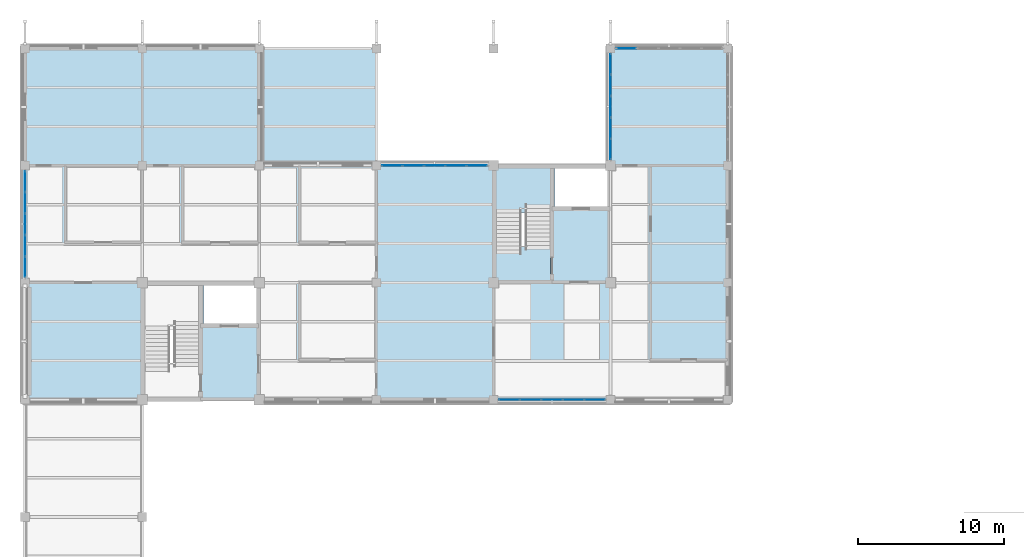
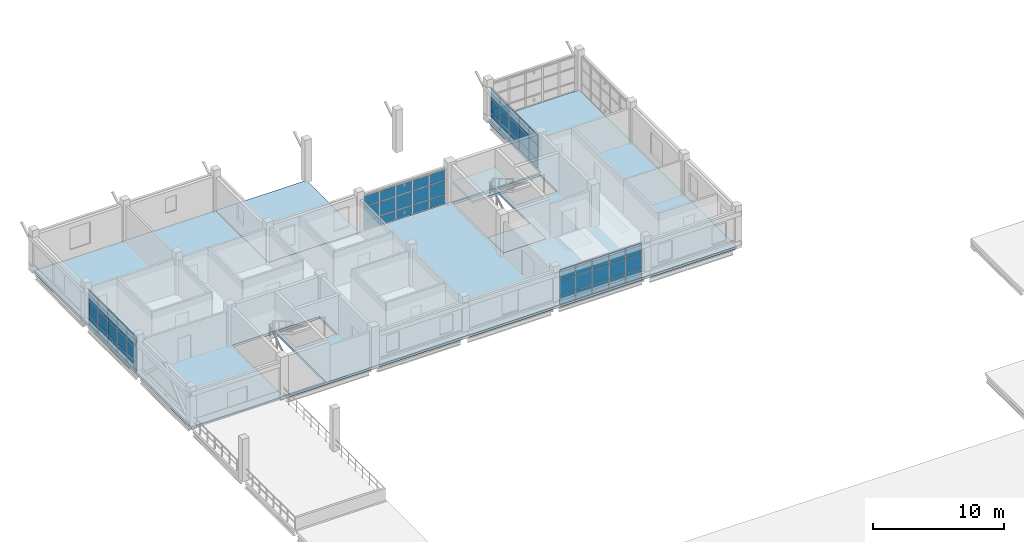
# One storey, part 15 of 35: 61 plates, 4 slabs, 6 elements without a shape of their own.
"""IFC4 building model written with IfcOpenShell, lengths in metres."""

from ifc_helpers import new_model, si_unit, derived_unit, direction, frame, origin, origin_2d, place, context, subcontext, project, spatial, polyline, rectangle, outline, extrude, material, layer, layer_set, type_object, element, aggregate, save


model = new_model("IFC4")

# Units and contexts
model_context = context("Model", 3, precision=1e-05, world=origin(), true_north=direction((0.0, 1.0)))
body_context = subcontext(model_context, "Body", "Model", "MODEL_VIEW")
ifc_project = project(units=[si_unit("LENGTHUNIT", "METRE"), si_unit("AREAUNIT", "SQUARE_METRE"), si_unit("VOLUMEUNIT", "CUBIC_METRE"), si_unit("PLANEANGLEUNIT", "RADIAN"), si_unit("MASSUNIT", "GRAM", prefix="KILO"), derived_unit("THERMALTRANSMITTANCEUNIT", [(si_unit("MASSUNIT", "GRAM", prefix="KILO"), 1), (si_unit("TIMEUNIT", "SECOND"), -3), (si_unit("THERMODYNAMICTEMPERATUREUNIT", "KELVIN"), -1)])], contexts=[model_context])

# Site, building, storey
site_placement = place(None, origin())
site = spatial("IfcSite", under=ifc_project, at=site_placement, CompositionType="ELEMENT")
building_placement = place(site_placement, origin())
building = spatial("IfcBuilding", under=site, at=building_placement, Name="Veyamyaing Civic Hall", CompositionType="ELEMENT")
storey_placement = place(building_placement, frame((0.0, 0.0, 21.780029296875)))
storey = spatial("IfcBuildingStorey", under=building, at=storey_placement, Name="L05", CompositionType="ELEMENT", Elevation=21.780029296875)

# Curtain wall, plates
ifc_material_1 = material(Name="Anodised aluminium 6063-T6", Category="aluminium")
ifc_layer_1 = layer(ifc_material_1, 0.159912109375, Name="Anodised aluminium 6063-T6")
ifc_layer_set_1 = layer_set([ifc_layer_1], Name="Anodised aluminium 6063-T6")
curtain_wall_type = type_object("IfcCurtainWallType", Name="CW-09", PredefinedType="NOTDEFINED", material=ifc_layer_set_1)
curtain_wall_1_placement = place(storey_placement, origin())
curtain_wall_1 = element("IfcCurtainWall", 1, at=curtain_wall_1_placement, inside=storey, type_object=curtain_wall_type, Name="Unitized curtain wall CW-09 L05 W 1.13", PredefinedType="NOTDEFINED")
ifc_material_2 = material(Name="Low-E insulated glass", Category="glass")
ifc_layer_2 = layer(ifc_material_2, 0.028076171875, Name="Low-E insulated glass")
ifc_layer_set_2 = layer_set([ifc_layer_2], Name="Low-E insulated glass")
plate_type_1 = type_object("IfcPlateType", Name="CWP-01", PredefinedType="CURTAIN_PANEL", material=ifc_layer_set_2)
plate_1_placement = place(storey_placement, frame((0.0, 97.080322265625, 0.06494140625), z_axis=(0.0, 0.0, 1.0), x_axis=(0.0, 1.0, 0.0)))
plate_1 = element("IfcPlate", 2, at=plate_1_placement, type_object=plate_type_1, Name="CW-09 panel 1.1", PredefinedType="CURTAIN_PANEL", context=body_context, shape_type="SweptSolid", body=[
    extrude(rectangle(XDim=1.37060546875, YDim=0.028076171875, at=origin_2d()), origin(), (0.0, 0.0, 1.0), 0.802490234375),
])
plate_2_placement = place(storey_placement, frame((0.0, 97.080322265625, 0.9326171875), z_axis=(0.0, 0.0, 1.0), x_axis=(0.0, 1.0, 0.0)))
plate_2 = element("IfcPlate", 3, at=plate_2_placement, type_object=plate_type_1, Name="CW-09 panel 1.2", PredefinedType="CURTAIN_PANEL", context=body_context, shape_type="SweptSolid", body=[
    extrude(rectangle(XDim=1.37060546875, YDim=0.028076171875, at=origin_2d()), origin(), (0.0, 0.0, 1.0), 1.325927734375),
])
plate_3_placement = place(storey_placement, frame((0.0, 97.080322265625, 2.3232421875), z_axis=(0.0, 0.0, 1.0), x_axis=(0.0, 1.0, 0.0)))
plate_3 = element("IfcPlate", 4, at=plate_3_placement, type_object=plate_type_1, Name="CW-09 panel 1.3", PredefinedType="CURTAIN_PANEL", context=body_context, shape_type="SweptSolid", body=[
    extrude(rectangle(XDim=1.37060546875, YDim=0.028076171875, at=origin_2d()), origin(), (0.0, 0.0, 1.0), 0.980712890625),
])
plate_4_placement = place(storey_placement, frame((0.0, 98.531982421875, 0.06494140625), z_axis=(0.0, 0.0, 1.0), x_axis=(0.0, 1.0, 0.0)))
plate_4 = element("IfcPlate", 5, at=plate_4_placement, type_object=plate_type_1, Name="CW-09 panel 2.1", PredefinedType="CURTAIN_PANEL", context=body_context, shape_type="SweptSolid", body=[
    extrude(rectangle(XDim=1.403076171875, YDim=0.028076171875, at=origin_2d()), origin(), (0.0, 0.0, 1.0), 0.802490234375),
])
plate_5_placement = place(storey_placement, frame((0.0, 98.531982421875, 0.9326171875), z_axis=(0.0, 0.0, 1.0), x_axis=(0.0, 1.0, 0.0)))
plate_5 = element("IfcPlate", 6, at=plate_5_placement, type_object=plate_type_1, Name="CW-09 panel 2.2", PredefinedType="CURTAIN_PANEL", context=body_context, shape_type="SweptSolid", body=[
    extrude(rectangle(XDim=1.403076171875, YDim=0.028076171875, at=origin_2d()), origin(), (0.0, 0.0, 1.0), 1.325927734375),
])
plate_6_placement = place(storey_placement, frame((0.0, 98.531982421875, 2.3232421875), z_axis=(0.0, 0.0, 1.0), x_axis=(0.0, 1.0, 0.0)))
plate_6 = element("IfcPlate", 7, at=plate_6_placement, type_object=plate_type_1, Name="CW-09 panel 2.3", PredefinedType="CURTAIN_PANEL", context=body_context, shape_type="SweptSolid", body=[
    extrude(rectangle(XDim=1.403076171875, YDim=0.028076171875, at=origin_2d()), origin(), (0.0, 0.0, 1.0), 0.980712890625),
])
plate_7_placement = place(storey_placement, frame((0.0, 100.0, 0.06494140625), z_axis=(0.0, 0.0, 1.0), x_axis=(0.0, 1.0, 0.0)))
plate_7 = element("IfcPlate", 8, at=plate_7_placement, type_object=plate_type_1, Name="CW-09 panel 3.1", PredefinedType="CURTAIN_PANEL", context=body_context, shape_type="SweptSolid", body=[
    extrude(rectangle(XDim=1.403076171875, YDim=0.028076171875, at=origin_2d()), origin(), (0.0, 0.0, 1.0), 0.802490234375),
])
plate_8_placement = place(storey_placement, frame((0.0, 100.0, 0.9326171875), z_axis=(0.0, 0.0, 1.0), x_axis=(0.0, 1.0, 0.0)))
plate_8 = element("IfcPlate", 9, at=plate_8_placement, type_object=plate_type_1, Name="CW-09 panel 3.2", PredefinedType="CURTAIN_PANEL", context=body_context, shape_type="SweptSolid", body=[
    extrude(rectangle(XDim=1.403076171875, YDim=0.028076171875, at=origin_2d()), origin(), (0.0, 0.0, 1.0), 1.325927734375),
])
plate_9_placement = place(storey_placement, frame((0.0, 100.0, 2.3232421875), z_axis=(0.0, 0.0, 1.0), x_axis=(0.0, 1.0, 0.0)))
plate_9 = element("IfcPlate", 10, at=plate_9_placement, type_object=plate_type_1, Name="CW-09 panel 3.3", PredefinedType="CURTAIN_PANEL", context=body_context, shape_type="SweptSolid", body=[
    extrude(rectangle(XDim=1.403076171875, YDim=0.028076171875, at=origin_2d()), origin(), (0.0, 0.0, 1.0), 0.980712890625),
])
plate_10_placement = place(storey_placement, frame((0.0, 101.468017578125, 0.06494140625), z_axis=(0.0, 0.0, 1.0), x_axis=(0.0, 1.0, 0.0)))
plate_10 = element("IfcPlate", 11, at=plate_10_placement, type_object=plate_type_1, Name="CW-09 panel 4.1", PredefinedType="CURTAIN_PANEL", context=body_context, shape_type="SweptSolid", body=[
    extrude(rectangle(XDim=1.403076171875, YDim=0.028076171875, at=origin_2d()), origin(), (0.0, 0.0, 1.0), 0.802490234375),
])
plate_11_placement = place(storey_placement, frame((0.0, 101.468017578125, 0.9326171875), z_axis=(0.0, 0.0, 1.0), x_axis=(0.0, 1.0, 0.0)))
plate_11 = element("IfcPlate", 12, at=plate_11_placement, type_object=plate_type_1, Name="CW-09 panel 4.2", PredefinedType="CURTAIN_PANEL", context=body_context, shape_type="SweptSolid", body=[
    extrude(rectangle(XDim=1.403076171875, YDim=0.028076171875, at=origin_2d()), origin(), (0.0, 0.0, 1.0), 1.325927734375),
])
plate_12_placement = place(storey_placement, frame((0.0, 101.468017578125, 2.3232421875), z_axis=(0.0, 0.0, 1.0), x_axis=(0.0, 1.0, 0.0)))
plate_12 = element("IfcPlate", 13, at=plate_12_placement, type_object=plate_type_1, Name="CW-09 panel 4.3", PredefinedType="CURTAIN_PANEL", context=body_context, shape_type="SweptSolid", body=[
    extrude(rectangle(XDim=1.403076171875, YDim=0.028076171875, at=origin_2d()), origin(), (0.0, 0.0, 1.0), 0.980712890625),
])
plate_13_placement = place(storey_placement, frame((0.0, 102.919677734375, 0.06494140625), z_axis=(0.0, 0.0, 1.0), x_axis=(0.0, 1.0, 0.0)))
plate_13 = element("IfcPlate", 14, at=plate_13_placement, type_object=plate_type_1, Name="CW-09 panel 5.1", PredefinedType="CURTAIN_PANEL", context=body_context, shape_type="SweptSolid", body=[
    extrude(rectangle(XDim=1.37060546875, YDim=0.028076171875, at=origin_2d()), origin(), (0.0, 0.0, 1.0), 0.802490234375),
])
plate_14_placement = place(storey_placement, frame((0.0, 102.919677734375, 0.9326171875), z_axis=(0.0, 0.0, 1.0), x_axis=(0.0, 1.0, 0.0)))
plate_14 = element("IfcPlate", 15, at=plate_14_placement, type_object=plate_type_1, Name="CW-09 panel 5.2", PredefinedType="CURTAIN_PANEL", context=body_context, shape_type="SweptSolid", body=[
    extrude(rectangle(XDim=1.37060546875, YDim=0.028076171875, at=origin_2d()), origin(), (0.0, 0.0, 1.0), 1.325927734375),
])
plate_15_placement = place(storey_placement, frame((0.0, 102.919677734375, 2.3232421875), z_axis=(0.0, 0.0, 1.0), x_axis=(0.0, 1.0, 0.0)))
plate_15 = element("IfcPlate", 16, at=plate_15_placement, type_object=plate_type_1, Name="CW-09 panel 5.3", PredefinedType="CURTAIN_PANEL", context=body_context, shape_type="SweptSolid", body=[
    extrude(rectangle(XDim=1.37060546875, YDim=0.028076171875, at=origin_2d()), origin(), (0.0, 0.0, 1.0), 0.980712890625),
])
aggregate(curtain_wall_1, [plate_1, plate_2, plate_3, plate_4, plate_5, plate_6, plate_7, plate_8, plate_9, plate_10, plate_11, plate_12, plate_13, plate_14, plate_15])

# Curtain wall, plate
curtain_wall_2_placement = place(storey_placement, origin())
curtain_wall_2 = element("IfcCurtainWall", 17, at=curtain_wall_2_placement, inside=storey, type_object=curtain_wall_type, Name="Unitized curtain wall CW-09 L05 N 6.14", PredefinedType="NOTDEFINED")
plate_16_placement = place(storey_placement, frame((41.080322265625, 112.0, 0.06494140625), z_axis=(0.0, 0.0, 1.0), x_axis=(1.0, 0.0, 0.0)))
plate_16 = element("IfcPlate", 18, at=plate_16_placement, type_object=plate_type_1, Name="CW-09 panel 1.1", PredefinedType="CURTAIN_PANEL", context=body_context, shape_type="SweptSolid", body=[
    extrude(rectangle(XDim=1.37060546875, YDim=0.028076171875, at=origin_2d()), origin(), (0.0, 0.0, 1.0), 0.802490234375),
])
aggregate(curtain_wall_2, [plate_16])

# Curtain wall, plates
curtain_wall_3_placement = place(storey_placement, origin())
curtain_wall_3 = element("IfcCurtainWall", 19, at=curtain_wall_3_placement, inside=storey, type_object=curtain_wall_type, Name="Unitized curtain wall CW-09 L05 W 6.14", PredefinedType="NOTDEFINED")
plate_17_placement = place(storey_placement, frame((40.0, 105.125244140625, 0.06494140625), z_axis=(0.0, 0.0, 1.0), x_axis=(0.0, 1.0, 0.0)))
plate_17 = element("IfcPlate", 20, at=plate_17_placement, type_object=plate_type_1, Name="CW-09 panel 1.1", PredefinedType="CURTAIN_PANEL", context=body_context, shape_type="SweptSolid", body=[
    extrude(rectangle(XDim=1.360595703125, YDim=0.028076171875, at=origin_2d()), origin(), (0.0, 0.0, 1.0), 0.802490234375),
])
plate_18_placement = place(storey_placement, frame((40.0, 105.125244140625, 0.9326171875), z_axis=(0.0, 0.0, 1.0), x_axis=(0.0, 1.0, 0.0)))
plate_18 = element("IfcPlate", 21, at=plate_18_placement, type_object=plate_type_1, Name="CW-09 panel 1.2", PredefinedType="CURTAIN_PANEL", context=body_context, shape_type="SweptSolid", body=[
    extrude(rectangle(XDim=1.360595703125, YDim=0.028076171875, at=origin_2d()), origin(), (0.0, 0.0, 1.0), 1.251220703125),
])
plate_19_placement = place(storey_placement, frame((40.0, 105.125244140625, 2.24853515625), z_axis=(0.0, 0.0, 1.0), x_axis=(0.0, 1.0, 0.0)))
plate_19 = element("IfcPlate", 22, at=plate_19_placement, type_object=plate_type_1, Name="CW-09 panel 1.3", PredefinedType="CURTAIN_PANEL", context=body_context, shape_type="SweptSolid", body=[
    extrude(rectangle(XDim=1.360595703125, YDim=0.028076171875, at=origin_2d()), origin(), (0.0, 0.0, 1.0), 0.9453125),
])
plate_20_placement = place(storey_placement, frame((40.0, 106.56689453125, 0.06494140625), z_axis=(0.0, 0.0, 1.0), x_axis=(0.0, 1.0, 0.0)))
plate_20 = element("IfcPlate", 23, at=plate_20_placement, type_object=plate_type_1, Name="CW-09 panel 2.1", PredefinedType="CURTAIN_PANEL", context=body_context, shape_type="SweptSolid", body=[
    extrude(rectangle(XDim=1.39306640625, YDim=0.028076171875, at=origin_2d()), origin(), (0.0, 0.0, 1.0), 0.802490234375),
])
plate_21_placement = place(storey_placement, frame((40.0, 106.56689453125, 0.9326171875), z_axis=(0.0, 0.0, 1.0), x_axis=(0.0, 1.0, 0.0)))
plate_21 = element("IfcPlate", 24, at=plate_21_placement, type_object=plate_type_1, Name="CW-09 panel 2.2", PredefinedType="CURTAIN_PANEL", context=body_context, shape_type="SweptSolid", body=[
    extrude(rectangle(XDim=1.39306640625, YDim=0.028076171875, at=origin_2d()), origin(), (0.0, 0.0, 1.0), 1.251220703125),
])
plate_22_placement = place(storey_placement, frame((40.0, 106.56689453125, 2.24853515625), z_axis=(0.0, 0.0, 1.0), x_axis=(0.0, 1.0, 0.0)))
plate_22 = element("IfcPlate", 25, at=plate_22_placement, type_object=plate_type_1, Name="CW-09 panel 2.3", PredefinedType="CURTAIN_PANEL", context=body_context, shape_type="SweptSolid", body=[
    extrude(rectangle(XDim=1.39306640625, YDim=0.028076171875, at=origin_2d()), origin(), (0.0, 0.0, 1.0), 0.9453125),
])
plate_23_placement = place(storey_placement, frame((40.0, 108.02490234375, 0.06494140625), z_axis=(0.0, 0.0, 1.0), x_axis=(0.0, 1.0, 0.0)))
plate_23 = element("IfcPlate", 26, at=plate_23_placement, type_object=plate_type_1, Name="CW-09 panel 3.1", PredefinedType="CURTAIN_PANEL", context=body_context, shape_type="SweptSolid", body=[
    extrude(rectangle(XDim=1.39306640625, YDim=0.028076171875, at=origin_2d()), origin(), (0.0, 0.0, 1.0), 0.802490234375),
])
plate_24_placement = place(storey_placement, frame((40.0, 108.02490234375, 0.9326171875), z_axis=(0.0, 0.0, 1.0), x_axis=(0.0, 1.0, 0.0)))
plate_24 = element("IfcPlate", 27, at=plate_24_placement, type_object=plate_type_1, Name="CW-09 panel 3.2", PredefinedType="CURTAIN_PANEL", context=body_context, shape_type="SweptSolid", body=[
    extrude(rectangle(XDim=1.39306640625, YDim=0.028076171875, at=origin_2d()), origin(), (0.0, 0.0, 1.0), 1.251220703125),
])
plate_25_placement = place(storey_placement, frame((40.0, 108.02490234375, 2.24853515625), z_axis=(0.0, 0.0, 1.0), x_axis=(0.0, 1.0, 0.0)))
plate_25 = element("IfcPlate", 28, at=plate_25_placement, type_object=plate_type_1, Name="CW-09 panel 3.3", PredefinedType="CURTAIN_PANEL", context=body_context, shape_type="SweptSolid", body=[
    extrude(rectangle(XDim=1.39306640625, YDim=0.028076171875, at=origin_2d()), origin(), (0.0, 0.0, 1.0), 0.9453125),
])
plate_26_placement = place(storey_placement, frame((40.0, 109.48291015625, 0.06494140625), z_axis=(0.0, 0.0, 1.0), x_axis=(0.0, 1.0, 0.0)))
plate_26 = element("IfcPlate", 29, at=plate_26_placement, type_object=plate_type_1, Name="CW-09 panel 4.1", PredefinedType="CURTAIN_PANEL", context=body_context, shape_type="SweptSolid", body=[
    extrude(rectangle(XDim=1.39306640625, YDim=0.028076171875, at=origin_2d()), origin(), (0.0, 0.0, 1.0), 0.802490234375),
])
plate_27_placement = place(storey_placement, frame((40.0, 109.48291015625, 0.9326171875), z_axis=(0.0, 0.0, 1.0), x_axis=(0.0, 1.0, 0.0)))
plate_27 = element("IfcPlate", 30, at=plate_27_placement, type_object=plate_type_1, Name="CW-09 panel 4.2", PredefinedType="CURTAIN_PANEL", context=body_context, shape_type="SweptSolid", body=[
    extrude(rectangle(XDim=1.39306640625, YDim=0.028076171875, at=origin_2d()), origin(), (0.0, 0.0, 1.0), 1.251220703125),
])
plate_28_placement = place(storey_placement, frame((40.0, 109.48291015625, 2.24853515625), z_axis=(0.0, 0.0, 1.0), x_axis=(0.0, 1.0, 0.0)))
plate_28 = element("IfcPlate", 31, at=plate_28_placement, type_object=plate_type_1, Name="CW-09 panel 4.3", PredefinedType="CURTAIN_PANEL", context=body_context, shape_type="SweptSolid", body=[
    extrude(rectangle(XDim=1.39306640625, YDim=0.028076171875, at=origin_2d()), origin(), (0.0, 0.0, 1.0), 0.9453125),
])
plate_29_placement = place(storey_placement, frame((40.0, 110.9248046875, 0.06494140625), z_axis=(0.0, 0.0, 1.0), x_axis=(0.0, 1.0, 0.0)))
plate_29 = element("IfcPlate", 32, at=plate_29_placement, type_object=plate_type_1, Name="CW-09 panel 5.1", PredefinedType="CURTAIN_PANEL", context=body_context, shape_type="SweptSolid", body=[
    extrude(rectangle(XDim=1.360595703125, YDim=0.028076171875, at=origin_2d()), origin(), (0.0, 0.0, 1.0), 0.802490234375),
])
plate_30_placement = place(storey_placement, frame((40.0, 110.9248046875, 0.9326171875), z_axis=(0.0, 0.0, 1.0), x_axis=(0.0, 1.0, 0.0)))
plate_30 = element("IfcPlate", 33, at=plate_30_placement, type_object=plate_type_1, Name="CW-09 panel 5.2", PredefinedType="CURTAIN_PANEL", context=body_context, shape_type="SweptSolid", body=[
    extrude(rectangle(XDim=1.360595703125, YDim=0.028076171875, at=origin_2d()), origin(), (0.0, 0.0, 1.0), 1.251220703125),
])
plate_31_placement = place(storey_placement, frame((40.0, 110.9248046875, 2.24853515625), z_axis=(0.0, 0.0, 1.0), x_axis=(0.0, 1.0, 0.0)))
plate_31 = element("IfcPlate", 34, at=plate_31_placement, type_object=plate_type_1, Name="CW-09 panel 5.3", PredefinedType="CURTAIN_PANEL", context=body_context, shape_type="SweptSolid", body=[
    extrude(rectangle(XDim=1.360595703125, YDim=0.028076171875, at=origin_2d()), origin(), (0.0, 0.0, 1.0), 0.9453125),
])
aggregate(curtain_wall_3, [plate_17, plate_18, plate_19, plate_20, plate_21, plate_22, plate_23, plate_24, plate_25, plate_26, plate_27, plate_28, plate_29, plate_30, plate_31])

curtain_wall_4_placement = place(storey_placement, origin())
curtain_wall_4 = element("IfcCurtainWall", 35, at=curtain_wall_4_placement, inside=storey, type_object=curtain_wall_type, Name="Unitized curtain wall CW-09 L05 N 4.13", PredefinedType="NOTDEFINED")
ifc_layer_3 = layer(ifc_material_2, 0.02392578125, Name="Low-E insulated glass")
ifc_layer_set_3 = layer_set([ifc_layer_3], Name="Low-E insulated glass")
plate_type_2 = type_object("IfcPlateType", Name="CWP-04", PredefinedType="CURTAIN_PANEL", material=ifc_layer_set_3)
plate_32_placement = place(storey_placement, frame((25.0751953125, 104.0, 0.06494140625), z_axis=(0.0, 0.0, 1.0), x_axis=(1.0, 0.0, 0.0)))
plate_32 = element("IfcPlate", 36, at=plate_32_placement, type_object=plate_type_2, Name="CW-09 panel 1.1", PredefinedType="CURTAIN_PANEL", context=body_context, shape_type="SweptSolid", body=[
    extrude(rectangle(XDim=1.360595703125, YDim=0.02392578125, at=origin_2d()), origin(), (0.0, 0.0, 1.0), 0.802490234375),
])
plate_33_placement = place(storey_placement, frame((25.0751953125, 104.0, 0.9326171875), z_axis=(0.0, 0.0, 1.0), x_axis=(1.0, 0.0, 0.0)))
plate_33 = element("IfcPlate", 37, at=plate_33_placement, type_object=plate_type_2, Name="CW-09 panel 1.2", PredefinedType="CURTAIN_PANEL", context=body_context, shape_type="SweptSolid", body=[
    extrude(rectangle(XDim=1.360595703125, YDim=0.02392578125, at=origin_2d()), origin(), (0.0, 0.0, 1.0), 1.25439453125),
])
plate_34_placement = place(storey_placement, frame((25.0751953125, 104.0, 2.251953125), z_axis=(0.0, 0.0, 1.0), x_axis=(1.0, 0.0, 0.0)))
plate_34 = element("IfcPlate", 38, at=plate_34_placement, type_object=plate_type_2, Name="CW-09 panel 1.3", PredefinedType="CURTAIN_PANEL", context=body_context, shape_type="SweptSolid", body=[
    extrude(rectangle(XDim=1.360595703125, YDim=0.02392578125, at=origin_2d()), origin(), (0.0, 0.0, 1.0), 0.947021484375),
])
plate_35_placement = place(storey_placement, frame((26.51708984375, 104.0, 0.06494140625), z_axis=(0.0, 0.0, 1.0), x_axis=(1.0, 0.0, 0.0)))
plate_35 = element("IfcPlate", 39, at=plate_35_placement, type_object=plate_type_2, Name="CW-09 panel 2.1", PredefinedType="CURTAIN_PANEL", context=body_context, shape_type="SweptSolid", body=[
    extrude(rectangle(XDim=1.39306640625, YDim=0.02392578125, at=origin_2d()), origin(), (0.0, 0.0, 1.0), 0.802490234375),
])
plate_36_placement = place(storey_placement, frame((26.51708984375, 104.0, 0.9326171875), z_axis=(0.0, 0.0, 1.0), x_axis=(1.0, 0.0, 0.0)))
plate_36 = element("IfcPlate", 40, at=plate_36_placement, type_object=plate_type_2, Name="CW-09 panel 2.2", PredefinedType="CURTAIN_PANEL", context=body_context, shape_type="SweptSolid", body=[
    extrude(rectangle(XDim=1.39306640625, YDim=0.02392578125, at=origin_2d()), origin(), (0.0, 0.0, 1.0), 1.25439453125),
])
plate_37_placement = place(storey_placement, frame((26.51708984375, 104.0, 2.251953125), z_axis=(0.0, 0.0, 1.0), x_axis=(1.0, 0.0, 0.0)))
plate_37 = element("IfcPlate", 41, at=plate_37_placement, type_object=plate_type_2, Name="CW-09 panel 2.3", PredefinedType="CURTAIN_PANEL", context=body_context, shape_type="SweptSolid", body=[
    extrude(rectangle(XDim=1.39306640625, YDim=0.02392578125, at=origin_2d()), origin(), (0.0, 0.0, 1.0), 0.947021484375),
])
plate_38_placement = place(storey_placement, frame((27.97509765625, 104.0, 0.06494140625), z_axis=(0.0, 0.0, 1.0), x_axis=(1.0, 0.0, 0.0)))
plate_38 = element("IfcPlate", 42, at=plate_38_placement, type_object=plate_type_2, Name="CW-09 panel 3.1", PredefinedType="CURTAIN_PANEL", context=body_context, shape_type="SweptSolid", body=[
    extrude(rectangle(XDim=1.39306640625, YDim=0.02392578125, at=origin_2d()), origin(), (0.0, 0.0, 1.0), 0.802490234375),
])
plate_39_placement = place(storey_placement, frame((27.97509765625, 104.0, 0.9326171875), z_axis=(0.0, 0.0, 1.0), x_axis=(1.0, 0.0, 0.0)))
plate_39 = element("IfcPlate", 43, at=plate_39_placement, type_object=plate_type_2, Name="CW-09 panel 3.2", PredefinedType="CURTAIN_PANEL", context=body_context, shape_type="SweptSolid", body=[
    extrude(rectangle(XDim=1.39306640625, YDim=0.02392578125, at=origin_2d()), origin(), (0.0, 0.0, 1.0), 1.25439453125),
])
plate_40_placement = place(storey_placement, frame((27.97509765625, 104.0, 2.251953125), z_axis=(0.0, 0.0, 1.0), x_axis=(1.0, 0.0, 0.0)))
plate_40 = element("IfcPlate", 44, at=plate_40_placement, type_object=plate_type_2, Name="CW-09 panel 3.3", PredefinedType="CURTAIN_PANEL", context=body_context, shape_type="SweptSolid", body=[
    extrude(rectangle(XDim=1.39306640625, YDim=0.02392578125, at=origin_2d()), origin(), (0.0, 0.0, 1.0), 0.947021484375),
])
plate_41_placement = place(storey_placement, frame((29.43310546875, 104.0, 0.06494140625), z_axis=(0.0, 0.0, 1.0), x_axis=(1.0, 0.0, 0.0)))
plate_41 = element("IfcPlate", 45, at=plate_41_placement, type_object=plate_type_2, Name="CW-09 panel 4.1", PredefinedType="CURTAIN_PANEL", context=body_context, shape_type="SweptSolid", body=[
    extrude(rectangle(XDim=1.39306640625, YDim=0.02392578125, at=origin_2d()), origin(), (0.0, 0.0, 1.0), 0.802490234375),
])
plate_42_placement = place(storey_placement, frame((29.43310546875, 104.0, 0.9326171875), z_axis=(0.0, 0.0, 1.0), x_axis=(1.0, 0.0, 0.0)))
plate_42 = element("IfcPlate", 46, at=plate_42_placement, type_object=plate_type_2, Name="CW-09 panel 4.2", PredefinedType="CURTAIN_PANEL", context=body_context, shape_type="SweptSolid", body=[
    extrude(rectangle(XDim=1.39306640625, YDim=0.02392578125, at=origin_2d()), origin(), (0.0, 0.0, 1.0), 1.25439453125),
])
plate_43_placement = place(storey_placement, frame((29.43310546875, 104.0, 2.251953125), z_axis=(0.0, 0.0, 1.0), x_axis=(1.0, 0.0, 0.0)))
plate_43 = element("IfcPlate", 47, at=plate_43_placement, type_object=plate_type_2, Name="CW-09 panel 4.3", PredefinedType="CURTAIN_PANEL", context=body_context, shape_type="SweptSolid", body=[
    extrude(rectangle(XDim=1.39306640625, YDim=0.02392578125, at=origin_2d()), origin(), (0.0, 0.0, 1.0), 0.947021484375),
])
plate_44_placement = place(storey_placement, frame((30.874755859375, 104.0, 0.06494140625), z_axis=(0.0, 0.0, 1.0), x_axis=(1.0, 0.0, 0.0)))
plate_44 = element("IfcPlate", 48, at=plate_44_placement, type_object=plate_type_2, Name="CW-09 panel 5.1", PredefinedType="CURTAIN_PANEL", context=body_context, shape_type="SweptSolid", body=[
    extrude(rectangle(XDim=1.360595703125, YDim=0.02392578125, at=origin_2d()), origin(), (0.0, 0.0, 1.0), 0.802490234375),
])
plate_45_placement = place(storey_placement, frame((30.874755859375, 104.0, 0.9326171875), z_axis=(0.0, 0.0, 1.0), x_axis=(1.0, 0.0, 0.0)))
plate_45 = element("IfcPlate", 49, at=plate_45_placement, type_object=plate_type_2, Name="CW-09 panel 5.2", PredefinedType="CURTAIN_PANEL", context=body_context, shape_type="SweptSolid", body=[
    extrude(rectangle(XDim=1.360595703125, YDim=0.02392578125, at=origin_2d()), origin(), (0.0, 0.0, 1.0), 1.25439453125),
])
plate_46_placement = place(storey_placement, frame((30.874755859375, 104.0, 2.251953125), z_axis=(0.0, 0.0, 1.0), x_axis=(1.0, 0.0, 0.0)))
plate_46 = element("IfcPlate", 50, at=plate_46_placement, type_object=plate_type_2, Name="CW-09 panel 5.3", PredefinedType="CURTAIN_PANEL", context=body_context, shape_type="SweptSolid", body=[
    extrude(rectangle(XDim=1.360595703125, YDim=0.02392578125, at=origin_2d()), origin(), (0.0, 0.0, 1.0), 0.947021484375),
])
aggregate(curtain_wall_4, [plate_32, plate_33, plate_34, plate_35, plate_36, plate_37, plate_38, plate_39, plate_40, plate_41, plate_42, plate_43, plate_44, plate_45, plate_46])

curtain_wall_5_placement = place(storey_placement, origin())
curtain_wall_5 = element("IfcCurtainWall", 51, at=curtain_wall_5_placement, inside=storey, type_object=curtain_wall_type, Name="Unitized curtain wall CW-09 L05 S 5.12", PredefinedType="NOTDEFINED")
plate_47_placement = place(storey_placement, frame((33.080322265625, 88.0, 0.06494140625), z_axis=(0.0, 0.0, 1.0), x_axis=(1.0, 0.0, 0.0)))
plate_47 = element("IfcPlate", 52, at=plate_47_placement, type_object=plate_type_2, Name="CW-09 panel 1.1", PredefinedType="CURTAIN_PANEL", context=body_context, shape_type="SweptSolid", body=[
    extrude(rectangle(XDim=1.37060546875, YDim=0.02392578125, at=origin_2d()), origin(), (0.0, 0.0, 1.0), 0.802490234375),
])
plate_48_placement = place(storey_placement, frame((33.080322265625, 88.0, 0.9326171875), z_axis=(0.0, 0.0, 1.0), x_axis=(1.0, 0.0, 0.0)))
plate_48 = element("IfcPlate", 53, at=plate_48_placement, type_object=plate_type_2, Name="CW-09 panel 1.2", PredefinedType="CURTAIN_PANEL", context=body_context, shape_type="SweptSolid", body=[
    extrude(rectangle(XDim=1.37060546875, YDim=0.02392578125, at=origin_2d()), origin(), (0.0, 0.0, 1.0), 1.282470703125),
])
plate_49_placement = place(storey_placement, frame((33.080322265625, 88.0, 2.27978515625), z_axis=(0.0, 0.0, 1.0), x_axis=(1.0, 0.0, 0.0)))
plate_49 = element("IfcPlate", 54, at=plate_49_placement, type_object=plate_type_2, Name="CW-09 panel 1.3", PredefinedType="CURTAIN_PANEL", context=body_context, shape_type="SweptSolid", body=[
    extrude(rectangle(XDim=1.37060546875, YDim=0.02392578125, at=origin_2d()), origin(), (0.0, 0.0, 1.0), 0.960205078125),
])
plate_50_placement = place(storey_placement, frame((34.531982421875, 88.0, 0.06494140625), z_axis=(0.0, 0.0, 1.0), x_axis=(1.0, 0.0, 0.0)))
plate_50 = element("IfcPlate", 55, at=plate_50_placement, type_object=plate_type_2, Name="CW-09 panel 2.1", PredefinedType="CURTAIN_PANEL", context=body_context, shape_type="SweptSolid", body=[
    extrude(rectangle(XDim=1.403076171875, YDim=0.02392578125, at=origin_2d()), origin(), (0.0, 0.0, 1.0), 0.802490234375),
])
plate_51_placement = place(storey_placement, frame((34.531982421875, 88.0, 0.9326171875), z_axis=(0.0, 0.0, 1.0), x_axis=(1.0, 0.0, 0.0)))
plate_51 = element("IfcPlate", 56, at=plate_51_placement, type_object=plate_type_2, Name="CW-09 panel 2.2", PredefinedType="CURTAIN_PANEL", context=body_context, shape_type="SweptSolid", body=[
    extrude(rectangle(XDim=1.403076171875, YDim=0.02392578125, at=origin_2d()), origin(), (0.0, 0.0, 1.0), 1.282470703125),
])
plate_52_placement = place(storey_placement, frame((34.531982421875, 88.0, 2.27978515625), z_axis=(0.0, 0.0, 1.0), x_axis=(1.0, 0.0, 0.0)))
plate_52 = element("IfcPlate", 57, at=plate_52_placement, type_object=plate_type_2, Name="CW-09 panel 2.3", PredefinedType="CURTAIN_PANEL", context=body_context, shape_type="SweptSolid", body=[
    extrude(rectangle(XDim=1.403076171875, YDim=0.02392578125, at=origin_2d()), origin(), (0.0, 0.0, 1.0), 0.960205078125),
])
plate_53_placement = place(storey_placement, frame((36.0, 88.0, 0.06494140625), z_axis=(0.0, 0.0, 1.0), x_axis=(1.0, 0.0, 0.0)))
plate_53 = element("IfcPlate", 58, at=plate_53_placement, type_object=plate_type_2, Name="CW-09 panel 3.1", PredefinedType="CURTAIN_PANEL", context=body_context, shape_type="SweptSolid", body=[
    extrude(rectangle(XDim=1.403076171875, YDim=0.02392578125, at=origin_2d()), origin(), (0.0, 0.0, 1.0), 0.802490234375),
])
plate_54_placement = place(storey_placement, frame((36.0, 88.0, 0.9326171875), z_axis=(0.0, 0.0, 1.0), x_axis=(1.0, 0.0, 0.0)))
plate_54 = element("IfcPlate", 59, at=plate_54_placement, type_object=plate_type_2, Name="CW-09 panel 3.2", PredefinedType="CURTAIN_PANEL", context=body_context, shape_type="SweptSolid", body=[
    extrude(rectangle(XDim=1.403076171875, YDim=0.02392578125, at=origin_2d()), origin(), (0.0, 0.0, 1.0), 1.282470703125),
])
plate_55_placement = place(storey_placement, frame((36.0, 88.0, 2.27978515625), z_axis=(0.0, 0.0, 1.0), x_axis=(1.0, 0.0, 0.0)))
plate_55 = element("IfcPlate", 60, at=plate_55_placement, type_object=plate_type_2, Name="CW-09 panel 3.3", PredefinedType="CURTAIN_PANEL", context=body_context, shape_type="SweptSolid", body=[
    extrude(rectangle(XDim=1.403076171875, YDim=0.02392578125, at=origin_2d()), origin(), (0.0, 0.0, 1.0), 0.960205078125),
])
plate_56_placement = place(storey_placement, frame((37.468017578125, 88.0, 0.06494140625), z_axis=(0.0, 0.0, 1.0), x_axis=(1.0, 0.0, 0.0)))
plate_56 = element("IfcPlate", 61, at=plate_56_placement, type_object=plate_type_2, Name="CW-09 panel 4.1", PredefinedType="CURTAIN_PANEL", context=body_context, shape_type="SweptSolid", body=[
    extrude(rectangle(XDim=1.403076171875, YDim=0.02392578125, at=origin_2d()), origin(), (0.0, 0.0, 1.0), 0.802490234375),
])
plate_57_placement = place(storey_placement, frame((37.468017578125, 88.0, 0.9326171875), z_axis=(0.0, 0.0, 1.0), x_axis=(1.0, 0.0, 0.0)))
plate_57 = element("IfcPlate", 62, at=plate_57_placement, type_object=plate_type_2, Name="CW-09 panel 4.2", PredefinedType="CURTAIN_PANEL", context=body_context, shape_type="SweptSolid", body=[
    extrude(rectangle(XDim=1.403076171875, YDim=0.02392578125, at=origin_2d()), origin(), (0.0, 0.0, 1.0), 1.282470703125),
])
plate_58_placement = place(storey_placement, frame((37.468017578125, 88.0, 2.27978515625), z_axis=(0.0, 0.0, 1.0), x_axis=(1.0, 0.0, 0.0)))
plate_58 = element("IfcPlate", 63, at=plate_58_placement, type_object=plate_type_2, Name="CW-09 panel 4.3", PredefinedType="CURTAIN_PANEL", context=body_context, shape_type="SweptSolid", body=[
    extrude(rectangle(XDim=1.403076171875, YDim=0.02392578125, at=origin_2d()), origin(), (0.0, 0.0, 1.0), 0.960205078125),
])
plate_59_placement = place(storey_placement, frame((38.919677734375, 88.0, 0.06494140625), z_axis=(0.0, 0.0, 1.0), x_axis=(1.0, 0.0, 0.0)))
plate_59 = element("IfcPlate", 64, at=plate_59_placement, type_object=plate_type_2, Name="CW-09 panel 5.1", PredefinedType="CURTAIN_PANEL", context=body_context, shape_type="SweptSolid", body=[
    extrude(rectangle(XDim=1.37060546875, YDim=0.02392578125, at=origin_2d()), origin(), (0.0, 0.0, 1.0), 0.802490234375),
])
plate_60_placement = place(storey_placement, frame((38.919677734375, 88.0, 0.9326171875), z_axis=(0.0, 0.0, 1.0), x_axis=(1.0, 0.0, 0.0)))
plate_60 = element("IfcPlate", 65, at=plate_60_placement, type_object=plate_type_2, Name="CW-09 panel 5.2", PredefinedType="CURTAIN_PANEL", context=body_context, shape_type="SweptSolid", body=[
    extrude(rectangle(XDim=1.37060546875, YDim=0.02392578125, at=origin_2d()), origin(), (0.0, 0.0, 1.0), 1.282470703125),
])
plate_61_placement = place(storey_placement, frame((38.919677734375, 88.0, 2.27978515625), z_axis=(0.0, 0.0, 1.0), x_axis=(1.0, 0.0, 0.0)))
plate_61 = element("IfcPlate", 66, at=plate_61_placement, type_object=plate_type_2, Name="CW-09 panel 5.3", PredefinedType="CURTAIN_PANEL", context=body_context, shape_type="SweptSolid", body=[
    extrude(rectangle(XDim=1.37060546875, YDim=0.02392578125, at=origin_2d()), origin(), (0.0, 0.0, 1.0), 0.960205078125),
])
aggregate(curtain_wall_5, [plate_47, plate_48, plate_49, plate_50, plate_51, plate_52, plate_53, plate_54, plate_55, plate_56, plate_57, plate_58, plate_59, plate_60, plate_61])

# Slabs
ifc_material_3 = material(Name="Concrete C40/50", Category="concrete")
ifc_layer_4 = layer(ifc_material_3, 0.22509765625, Name="Concrete C40/50")
ifc_layer_set_4 = layer_set([ifc_layer_4], Name="Concrete C40/50")
slab_type_1 = type_object("IfcSlabType", Name="SL-07", PredefinedType="FLOOR", material=ifc_layer_set_4)
slab_1_placement = place(storey_placement, frame((0.0, 0.0, -0.22509765625)))
element("IfcSlab", 67, at=slab_1_placement, inside=storey, type_object=slab_type_1, Name="Floor slab SL-07 L05 V4NW.1", PredefinedType="FLOOR", context=body_context, shape_type="SweptSolid", body=[
    extrude(outline(polyline([(0.0, 112.0), (16.0, 112.0), (16.0, 104.0), (40.0, 104.0), (40.0, 112.0), (48.0, 112.0), (48.0, 88.0), (0.0, 88.0), (0.0, 112.0)]), holes=[polyline([(8.139892578125, 95.860107421875), (8.139892578125, 88.139892578125), (11.909912109375, 88.139892578125), (11.909912109375, 95.860107421875), (8.139892578125, 95.860107421875)]), polyline([(12.179931640625, 95.820068359375), (12.179931640625, 93.179931640625), (15.820068359375, 93.179931640625), (15.820068359375, 95.820068359375), (12.179931640625, 95.820068359375)]), polyline([(32.139892578125, 103.860107421875), (32.139892578125, 96.139892578125), (35.909912109375, 96.139892578125), (35.909912109375, 103.860107421875), (32.139892578125, 103.860107421875)]), polyline([(36.179931640625, 103.820068359375), (36.179931640625, 101.179931640625), (39.820068359375, 101.179931640625), (39.820068359375, 103.820068359375), (36.179931640625, 103.820068359375)])]), origin(), (0.0, 0.0, 1.0), 0.22509765625),
])
ifc_layer_5 = layer(ifc_material_3, 0.25, Name="Concrete C40/50")
ifc_layer_set_5 = layer_set([ifc_layer_5], Name="Concrete C40/50")
slab_type_2 = type_object("IfcSlabType", Name="SL-10", PredefinedType="ROOF", material=ifc_layer_set_5)
slab_2_placement = place(storey_placement, frame((0.0, 0.0, -0.25)))
element("IfcSlab", 68, at=slab_2_placement, inside=storey, type_object=slab_type_2, Name="Roof slab SL-10 L05 V4NW.1", PredefinedType="ROOF", context=body_context, shape_type="SweptSolid", body=[
    extrude(outline(polyline([(24.0, 104.0), (24.0, 112.0), (16.0, 112.0), (16.0, 104.0), (24.0, 104.0)])), origin(), (0.0, 0.0, 1.0), 0.25),
])
ifc_layer_6 = layer(ifc_material_3, 0.199951171875, Name="Concrete C40/50")
ifc_layer_set_6 = layer_set([ifc_layer_6], Name="Concrete C40/50")
slab_type_3 = type_object("IfcSlabType", Name="SL-16", PredefinedType="FLOOR", material=ifc_layer_set_6)
slab_3_placement = place(storey_placement, frame((0.0, 0.0, -0.199951171875)))
element("IfcSlab", 69, at=slab_3_placement, inside=storey, type_object=slab_type_3, Name="Stair floor landing slab SL-16 ST-02 L05", PredefinedType="FLOOR", context=body_context, shape_type="SweptSolid", body=[
    extrude(outline(polyline([(32.139892578125, 96.139892578125), (35.909912109375, 96.139892578125), (35.909912109375, 98.52001953125), (32.139892578125, 98.52001953125), (32.139892578125, 96.139892578125)])), origin(), (0.0, 0.0, 1.0), 0.199951171875),
])

# Stair, slab
stair_type = type_object("IfcStairType", Name="ST-D", PredefinedType="HALF_TURN_STAIR", material=ifc_material_3)
stair_placement = place(storey_placement, origin())
stair = element("IfcStair", 70, at=stair_placement, inside=storey, type_object=stair_type, Name="Protected exit stair ST-02 L05", PredefinedType="HALF_TURN_STAIR")
ifc_layer_7 = layer(ifc_material_3, 0.195068359375, Name="Concrete C40/50")
ifc_layer_set_7 = layer_set([ifc_layer_7], Name="Concrete C40/50")
slab_type_4 = type_object("IfcSlabType", Name="SL-LND", PredefinedType="LANDING", material=ifc_layer_set_7)
slab_4_placement = place(storey_placement, frame((0.0, 0.0, 1.784912109375)))
slab_4 = element("IfcSlab", 71, at=slab_4_placement, type_object=slab_type_4, Name="ST-02 landing 1", PredefinedType="LANDING", context=body_context, shape_type="SweptSolid", body=[
    extrude(outline(polyline([(32.139892578125, 100.7900390625), (35.909912109375, 100.7900390625), (35.909912109375, 103.860107421875), (32.139892578125, 103.860107421875), (32.139892578125, 100.7900390625)])), origin(), (0.0, 0.0, 1.0), 0.195068359375),
])
aggregate(stair, [slab_4])

save(model, "model.ifc")
